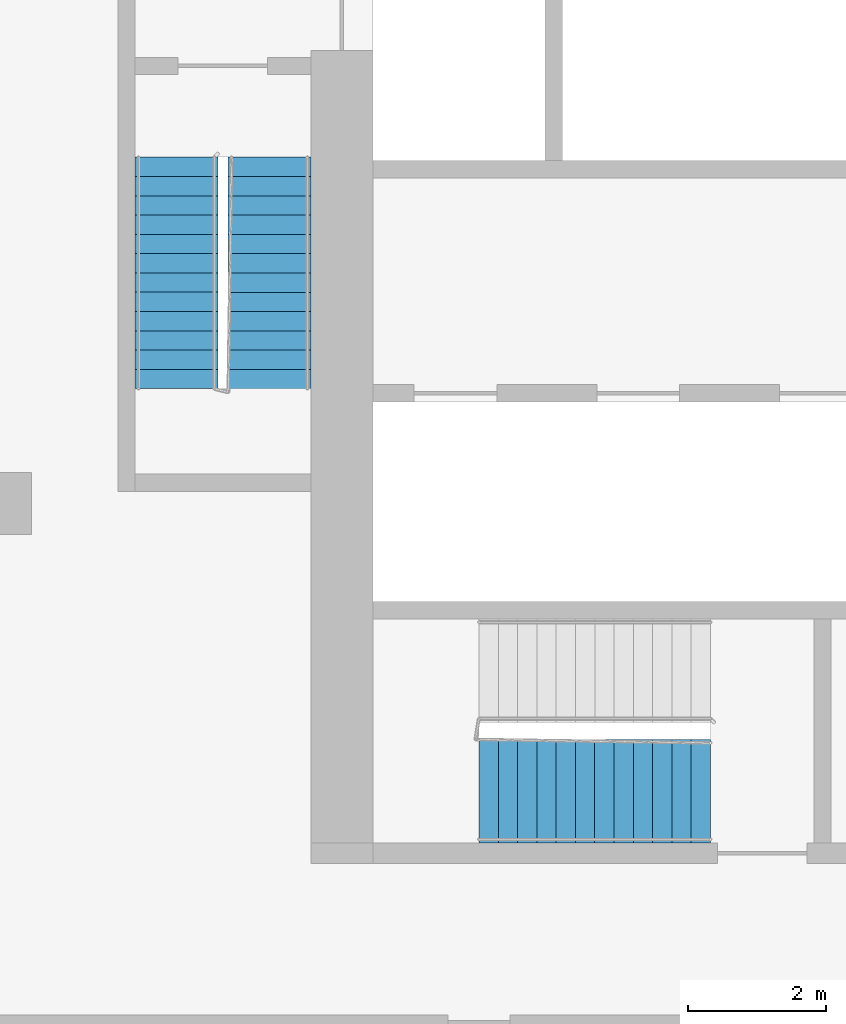
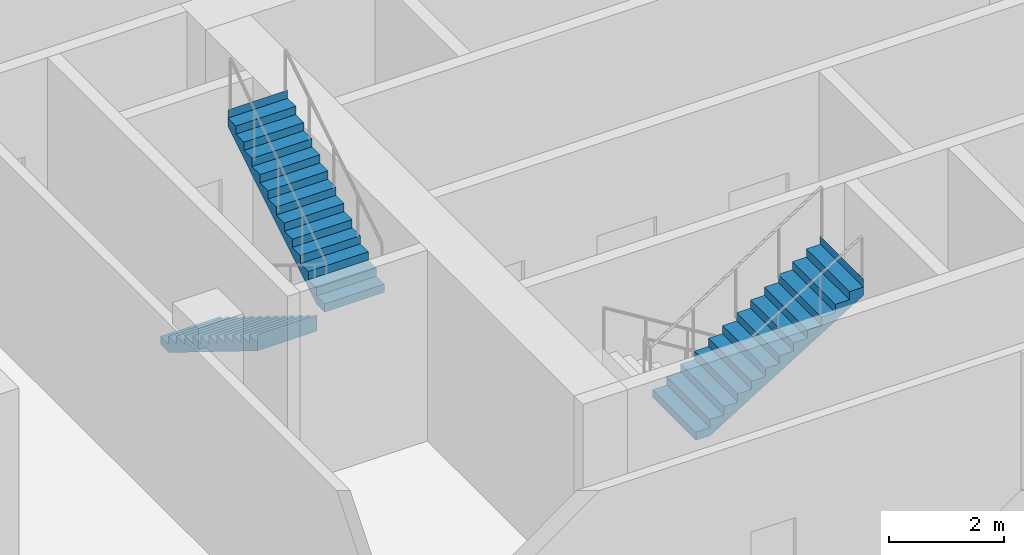
# One storey, part 8 of 15: 3 stair flights, 2 elements without a shape of their own.
"""IFC4 building model written with IfcOpenShell, lengths in metres."""

from ifc_helpers import new_model, si_unit, direction, frame, origin, place, context, subcontext, project, spatial, faceted_brep, material, type_object, element, aggregate, save


model = new_model("IFC4")

# Units and contexts
model_context = context("Model", 3, precision=1e-05, world=origin(), true_north=direction((0.0, 1.0)))
body_context = subcontext(model_context, "Body", "Model", "MODEL_VIEW")
ifc_project = project(units=[si_unit("LENGTHUNIT", "METRE"), si_unit("AREAUNIT", "SQUARE_METRE"), si_unit("VOLUMEUNIT", "CUBIC_METRE"), si_unit("PLANEANGLEUNIT", "RADIAN"), si_unit("MASSUNIT", "GRAM", prefix="KILO")], contexts=[model_context])

# Site, building, storey
site_placement = place(None, origin())
site = spatial("IfcSite", under=ifc_project, at=site_placement, CompositionType="ELEMENT")
building_placement = place(site_placement, origin())
building = spatial("IfcBuilding", under=site, at=building_placement, Name="Kajstack Hotel Tower", CompositionType="ELEMENT")
storey_placement = place(building_placement, frame((0.0, 0.0, 29.0)))
storey = spatial("IfcBuildingStorey", under=building, at=storey_placement, Name="L04", CompositionType="ELEMENT", Elevation=29.0)

# Stair, stair flights
ifc_material = material(Name="Concrete C40/50", Category="concrete")
stair_type_1 = type_object("IfcStairType", Name="Exit stair 1200", PredefinedType="HALF_TURN_STAIR", material=ifc_material)
stair_1_placement = place(storey_placement, origin())
stair_1 = element("IfcStair", 1, at=stair_1_placement, inside=storey, type_object=stair_type_1, Name="L04 stair W1", PredefinedType="HALF_TURN_STAIR")
stair_flight_type_1 = type_object("IfcStairFlightType", Name="Exit stair flight 1200", PredefinedType="STRAIGHT", material=ifc_material)
stair_flight_1_placement = place(storey_placement, frame((-33.449951171875, -5.25, 0.0), z_axis=(0.0, 0.0, 1.0), x_axis=(0.0, -1.0, 0.0)))
stair_flight_1 = element("IfcStairFlight", 2, at=stair_flight_1_placement, type_object=stair_flight_type_1, Name="W1 flight 1", NumberOfRisers=13, NumberOfTreads=12, PredefinedType="STRAIGHT", RiserHeight=0.173076923, TreadLength=0.28, context=body_context, shape_type="Brep", body=[
    faceted_brep([(0.28564453125, -0.60009765625, 0.0), (3.360595703125, -0.60009765625, 1.900634765625), (3.360595703125, -0.60009765625, 2.25), (3.360107421875, -0.60009765625, 2.25), (3.360107421875, -0.60009765625, 2.076904296875), (3.080078125, -0.60009765625, 2.076904296875), (3.080078125, -0.60009765625, 1.90380859375), (2.800048828125, -0.60009765625, 1.90380859375), (2.800048828125, -0.60009765625, 1.730712890625), (2.52001953125, -0.60009765625, 1.730712890625), (2.52001953125, -0.60009765625, 1.5576171875), (2.239990234375, -0.60009765625, 1.5576171875), (2.239990234375, -0.60009765625, 1.384521484375), (1.9599609375, -0.60009765625, 1.384521484375), (1.9599609375, -0.60009765625, 1.21142578125), (1.679931640625, -0.60009765625, 1.21142578125), (1.679931640625, -0.60009765625, 1.03857421875), (1.39990234375, -0.60009765625, 1.03857421875), (1.39990234375, -0.60009765625, 0.865478515625), (1.1201171875, -0.60009765625, 0.865478515625), (1.1201171875, -0.60009765625, 0.6923828125), (0.840087890625, -0.60009765625, 0.6923828125), (0.840087890625, -0.60009765625, 0.519287109375), (0.56005859375, -0.60009765625, 0.519287109375), (0.56005859375, -0.60009765625, 0.34619140625), (0.280029296875, -0.60009765625, 0.34619140625), (0.280029296875, -0.60009765625, 0.173095703125), (-0.00048828125, -0.60009765625, 0.173095703125), (-0.00048828125, -0.60009765625, 0.0), (-0.00048828125, 0.60009765625, 0.0), (-0.00048828125, 0.60009765625, 0.173095703125), (0.280029296875, 0.60009765625, 0.173095703125), (0.280029296875, 0.60009765625, 0.34619140625), (0.56005859375, 0.60009765625, 0.34619140625), (0.56005859375, 0.60009765625, 0.519287109375), (0.840087890625, 0.60009765625, 0.519287109375), (0.840087890625, 0.60009765625, 0.6923828125), (1.1201171875, 0.60009765625, 0.6923828125), (1.1201171875, 0.60009765625, 0.865478515625), (1.39990234375, 0.60009765625, 0.865478515625), (1.39990234375, 0.60009765625, 1.03857421875), (1.679931640625, 0.60009765625, 1.03857421875), (1.679931640625, 0.60009765625, 1.21142578125), (1.9599609375, 0.60009765625, 1.21142578125), (1.9599609375, 0.60009765625, 1.384521484375), (2.239990234375, 0.60009765625, 1.384521484375), (2.239990234375, 0.60009765625, 1.5576171875), (2.52001953125, 0.60009765625, 1.5576171875), (2.52001953125, 0.60009765625, 1.730712890625), (2.800048828125, 0.60009765625, 1.730712890625), (2.800048828125, 0.60009765625, 1.90380859375), (3.080078125, 0.60009765625, 1.90380859375), (3.080078125, 0.60009765625, 2.076904296875), (3.360107421875, 0.60009765625, 2.076904296875), (3.360107421875, 0.60009765625, 2.25), (3.360595703125, 0.60009765625, 2.25), (3.360595703125, 0.60009765625, 1.900634765625), (0.28564453125, 0.60009765625, 0.0), (-0.00048828125, -0.300048828125, 0.173095703125), (-0.00048828125, 0.0, 0.173095703125), (-0.00048828125, 0.300048828125, 0.173095703125), (-0.00048828125, 0.300048828125, 0.0), (-0.00048828125, 0.0, 0.0), (-0.00048828125, -0.300048828125, 0.0), (0.280029296875, -0.300048828125, 0.173095703125), (0.280029296875, 0.0, 0.173095703125), (0.280029296875, 0.300048828125, 0.173095703125), (0.280029296875, -0.300048828125, 0.34619140625), (0.280029296875, 0.0, 0.34619140625), (0.280029296875, 0.300048828125, 0.34619140625), (0.56005859375, -0.300048828125, 0.34619140625), (0.56005859375, 0.0, 0.34619140625), (0.56005859375, 0.300048828125, 0.34619140625), (0.56005859375, -0.300048828125, 0.519287109375), (0.56005859375, 0.0, 0.519287109375), (0.56005859375, 0.300048828125, 0.519287109375), (0.840087890625, -0.300048828125, 0.519287109375), (0.840087890625, 0.0, 0.519287109375), (0.840087890625, 0.300048828125, 0.519287109375), (0.840087890625, -0.300048828125, 0.6923828125), (0.840087890625, 0.0, 0.6923828125), (0.840087890625, 0.300048828125, 0.6923828125), (1.1201171875, -0.300048828125, 0.6923828125), (1.1201171875, 0.0, 0.6923828125), (1.1201171875, 0.300048828125, 0.6923828125), (1.1201171875, -0.300048828125, 0.865478515625), (1.1201171875, 0.0, 0.865478515625), (1.1201171875, 0.300048828125, 0.865478515625), (1.39990234375, -0.300048828125, 0.865478515625), (1.39990234375, 0.0, 0.865478515625), (1.39990234375, 0.300048828125, 0.865478515625), (1.39990234375, -0.300048828125, 1.03857421875), (1.39990234375, 0.0, 1.03857421875), (1.39990234375, 0.300048828125, 1.03857421875), (1.679931640625, -0.300048828125, 1.03857421875), (1.679931640625, 0.0, 1.03857421875), (1.679931640625, 0.300048828125, 1.03857421875), (1.679931640625, -0.300048828125, 1.21142578125), (1.679931640625, 0.0, 1.21142578125), (1.679931640625, 0.300048828125, 1.21142578125), (1.9599609375, -0.300048828125, 1.21142578125), (1.9599609375, 0.0, 1.21142578125), (1.9599609375, 0.300048828125, 1.21142578125), (1.9599609375, -0.300048828125, 1.384521484375), (1.9599609375, 0.0, 1.384521484375), (1.9599609375, 0.300048828125, 1.384521484375), (2.239990234375, -0.300048828125, 1.384521484375), (2.239990234375, 0.0, 1.384521484375), (2.239990234375, 0.300048828125, 1.384521484375), (2.239990234375, -0.300048828125, 1.5576171875), (2.239990234375, 0.0, 1.5576171875), (2.239990234375, 0.300048828125, 1.5576171875), (2.52001953125, -0.300048828125, 1.5576171875), (2.52001953125, 0.0, 1.5576171875), (2.52001953125, 0.300048828125, 1.5576171875), (2.52001953125, -0.300048828125, 1.730712890625), (2.52001953125, 0.0, 1.730712890625), (2.52001953125, 0.300048828125, 1.730712890625), (2.800048828125, -0.300048828125, 1.730712890625), (2.800048828125, 0.0, 1.730712890625), (2.800048828125, 0.300048828125, 1.730712890625), (2.800048828125, -0.300048828125, 1.90380859375), (2.800048828125, 0.0, 1.90380859375), (2.800048828125, 0.300048828125, 1.90380859375), (3.080078125, -0.300048828125, 1.90380859375), (3.080078125, 0.0, 1.90380859375), (3.080078125, 0.300048828125, 1.90380859375), (3.080078125, -0.300048828125, 2.076904296875), (3.080078125, 0.0, 2.076904296875), (3.080078125, 0.300048828125, 2.076904296875), (3.360107421875, -0.300048828125, 2.076904296875), (3.360107421875, 0.0, 2.076904296875), (3.360107421875, 0.300048828125, 2.076904296875), (3.360107421875, -0.300048828125, 2.25), (3.360107421875, 0.0, 2.25), (3.360107421875, 0.300048828125, 2.25), (3.360595703125, -0.300048828125, 2.25), (3.360595703125, 0.0, 2.25), (3.360595703125, 0.300048828125, 2.25), (3.360595703125, -0.300048828125, 1.900634765625), (3.360595703125, 0.0, 1.900634765625), (3.360595703125, 0.300048828125, 1.900634765625), (0.28564453125, -0.300048828125, 0.0), (0.28564453125, 0.0, 0.0), (0.28564453125, 0.300048828125, 0.0)], [[[0, 1, 2, 3, 4, 5, 6, 7, 8, 9, 10, 11, 12, 13, 14, 15, 16, 17, 18, 19, 20, 21, 22, 23, 24, 25, 26, 27, 28]], [[29, 30, 31, 32, 33, 34, 35, 36, 37, 38, 39, 40, 41, 42, 43, 44, 45, 46, 47, 48, 49, 50, 51, 52, 53, 54, 55, 56, 57]], [[27, 58, 59, 60, 30, 29, 61, 62, 63, 28]], [[26, 64, 65, 66, 31, 30, 60, 59, 58, 27]], [[25, 67, 68, 69, 32, 31, 66, 65, 64, 26]], [[24, 70, 71, 72, 33, 32, 69, 68, 67, 25]], [[23, 73, 74, 75, 34, 33, 72, 71, 70, 24]], [[22, 76, 77, 78, 35, 34, 75, 74, 73, 23]], [[21, 79, 80, 81, 36, 35, 78, 77, 76, 22]], [[20, 82, 83, 84, 37, 36, 81, 80, 79, 21]], [[19, 85, 86, 87, 38, 37, 84, 83, 82, 20]], [[18, 88, 89, 90, 39, 38, 87, 86, 85, 19]], [[17, 91, 92, 93, 40, 39, 90, 89, 88, 18]], [[16, 94, 95, 96, 41, 40, 93, 92, 91, 17]], [[15, 97, 98, 99, 42, 41, 96, 95, 94, 16]], [[14, 100, 101, 102, 43, 42, 99, 98, 97, 15]], [[13, 103, 104, 105, 44, 43, 102, 101, 100, 14]], [[12, 106, 107, 108, 45, 44, 105, 104, 103, 13]], [[11, 109, 110, 111, 46, 45, 108, 107, 106, 12]], [[10, 112, 113, 114, 47, 46, 111, 110, 109, 11]], [[9, 115, 116, 117, 48, 47, 114, 113, 112, 10]], [[8, 118, 119, 120, 49, 48, 117, 116, 115, 9]], [[7, 121, 122, 123, 50, 49, 120, 119, 118, 8]], [[6, 124, 125, 126, 51, 50, 123, 122, 121, 7]], [[5, 127, 128, 129, 52, 51, 126, 125, 124, 6]], [[4, 130, 131, 132, 53, 52, 129, 128, 127, 5]], [[3, 133, 134, 135, 54, 53, 132, 131, 130, 4]], [[2, 136, 137, 138, 55, 54, 135, 134, 133, 3]], [[1, 139, 140, 141, 56, 55, 138, 137, 136, 2]], [[0, 142, 143, 144, 57, 56, 141, 140, 139, 1]], [[28, 63, 62, 61, 29, 57, 144, 143, 142, 0]]]),
])
stair_flight_2_placement = place(storey_placement, frame((-32.10009765625, -8.610107421875, 2.25), z_axis=(0.0, 0.0, 1.0), x_axis=(0.0, 1.0, 0.0)))
stair_flight_2 = element("IfcStairFlight", 3, at=stair_flight_2_placement, type_object=stair_flight_type_1, Name="W1 flight 2", NumberOfRisers=13, NumberOfTreads=12, PredefinedType="STRAIGHT", RiserHeight=0.173076923, TreadLength=0.28, context=body_context, shape_type="Brep", body=[
    faceted_brep([(0.28564453125, -0.60009765625, 0.0), (3.360595703125, -0.60009765625, 1.900634765625), (3.360595703125, -0.60009765625, 2.25), (3.360107421875, -0.60009765625, 2.25), (3.360107421875, -0.60009765625, 2.076904296875), (3.080078125, -0.60009765625, 2.076904296875), (3.080078125, -0.60009765625, 1.90380859375), (2.800048828125, -0.60009765625, 1.90380859375), (2.800048828125, -0.60009765625, 1.730712890625), (2.52001953125, -0.60009765625, 1.730712890625), (2.52001953125, -0.60009765625, 1.5576171875), (2.239990234375, -0.60009765625, 1.5576171875), (2.239990234375, -0.60009765625, 1.384521484375), (1.9599609375, -0.60009765625, 1.384521484375), (1.9599609375, -0.60009765625, 1.21142578125), (1.679931640625, -0.60009765625, 1.21142578125), (1.679931640625, -0.60009765625, 1.03857421875), (1.39990234375, -0.60009765625, 1.03857421875), (1.39990234375, -0.60009765625, 0.865478515625), (1.1201171875, -0.60009765625, 0.865478515625), (1.1201171875, -0.60009765625, 0.6923828125), (0.840087890625, -0.60009765625, 0.6923828125), (0.840087890625, -0.60009765625, 0.519287109375), (0.56005859375, -0.60009765625, 0.519287109375), (0.56005859375, -0.60009765625, 0.34619140625), (0.280029296875, -0.60009765625, 0.34619140625), (0.280029296875, -0.60009765625, 0.173095703125), (-0.00048828125, -0.60009765625, 0.173095703125), (-0.00048828125, -0.60009765625, 0.0), (-0.00048828125, 0.60009765625, 0.0), (-0.00048828125, 0.60009765625, 0.173095703125), (0.280029296875, 0.60009765625, 0.173095703125), (0.280029296875, 0.60009765625, 0.34619140625), (0.56005859375, 0.60009765625, 0.34619140625), (0.56005859375, 0.60009765625, 0.519287109375), (0.840087890625, 0.60009765625, 0.519287109375), (0.840087890625, 0.60009765625, 0.6923828125), (1.1201171875, 0.60009765625, 0.6923828125), (1.1201171875, 0.60009765625, 0.865478515625), (1.39990234375, 0.60009765625, 0.865478515625), (1.39990234375, 0.60009765625, 1.03857421875), (1.679931640625, 0.60009765625, 1.03857421875), (1.679931640625, 0.60009765625, 1.21142578125), (1.9599609375, 0.60009765625, 1.21142578125), (1.9599609375, 0.60009765625, 1.384521484375), (2.239990234375, 0.60009765625, 1.384521484375), (2.239990234375, 0.60009765625, 1.5576171875), (2.52001953125, 0.60009765625, 1.5576171875), (2.52001953125, 0.60009765625, 1.730712890625), (2.800048828125, 0.60009765625, 1.730712890625), (2.800048828125, 0.60009765625, 1.90380859375), (3.080078125, 0.60009765625, 1.90380859375), (3.080078125, 0.60009765625, 2.076904296875), (3.360107421875, 0.60009765625, 2.076904296875), (3.360107421875, 0.60009765625, 2.25), (3.360595703125, 0.60009765625, 2.25), (3.360595703125, 0.60009765625, 1.900634765625), (0.28564453125, 0.60009765625, 0.0), (-0.00048828125, -0.300048828125, 0.173095703125), (-0.00048828125, 0.0, 0.173095703125), (-0.00048828125, 0.300048828125, 0.173095703125), (-0.00048828125, 0.300048828125, 0.0), (-0.00048828125, 0.0, 0.0), (-0.00048828125, -0.300048828125, 0.0), (0.280029296875, -0.300048828125, 0.173095703125), (0.280029296875, 0.0, 0.173095703125), (0.280029296875, 0.300048828125, 0.173095703125), (0.280029296875, -0.300048828125, 0.34619140625), (0.280029296875, 0.0, 0.34619140625), (0.280029296875, 0.300048828125, 0.34619140625), (0.56005859375, -0.300048828125, 0.34619140625), (0.56005859375, 0.0, 0.34619140625), (0.56005859375, 0.300048828125, 0.34619140625), (0.56005859375, -0.300048828125, 0.519287109375), (0.56005859375, 0.0, 0.519287109375), (0.56005859375, 0.300048828125, 0.519287109375), (0.840087890625, -0.300048828125, 0.519287109375), (0.840087890625, 0.0, 0.519287109375), (0.840087890625, 0.300048828125, 0.519287109375), (0.840087890625, -0.300048828125, 0.6923828125), (0.840087890625, 0.0, 0.6923828125), (0.840087890625, 0.300048828125, 0.6923828125), (1.1201171875, -0.300048828125, 0.6923828125), (1.1201171875, 0.0, 0.6923828125), (1.1201171875, 0.300048828125, 0.6923828125), (1.1201171875, -0.300048828125, 0.865478515625), (1.1201171875, 0.0, 0.865478515625), (1.1201171875, 0.300048828125, 0.865478515625), (1.39990234375, -0.300048828125, 0.865478515625), (1.39990234375, 0.0, 0.865478515625), (1.39990234375, 0.300048828125, 0.865478515625), (1.39990234375, -0.300048828125, 1.03857421875), (1.39990234375, 0.0, 1.03857421875), (1.39990234375, 0.300048828125, 1.03857421875), (1.679931640625, -0.300048828125, 1.03857421875), (1.679931640625, 0.0, 1.03857421875), (1.679931640625, 0.300048828125, 1.03857421875), (1.679931640625, -0.300048828125, 1.21142578125), (1.679931640625, 0.0, 1.21142578125), (1.679931640625, 0.300048828125, 1.21142578125), (1.9599609375, -0.300048828125, 1.21142578125), (1.9599609375, 0.0, 1.21142578125), (1.9599609375, 0.300048828125, 1.21142578125), (1.9599609375, -0.300048828125, 1.384521484375), (1.9599609375, 0.0, 1.384521484375), (1.9599609375, 0.300048828125, 1.384521484375), (2.239990234375, -0.300048828125, 1.384521484375), (2.239990234375, 0.0, 1.384521484375), (2.239990234375, 0.300048828125, 1.384521484375), (2.239990234375, -0.300048828125, 1.5576171875), (2.239990234375, 0.0, 1.5576171875), (2.239990234375, 0.300048828125, 1.5576171875), (2.52001953125, -0.300048828125, 1.5576171875), (2.52001953125, 0.0, 1.5576171875), (2.52001953125, 0.300048828125, 1.5576171875), (2.52001953125, -0.300048828125, 1.730712890625), (2.52001953125, 0.0, 1.730712890625), (2.52001953125, 0.300048828125, 1.730712890625), (2.800048828125, -0.300048828125, 1.730712890625), (2.800048828125, 0.0, 1.730712890625), (2.800048828125, 0.300048828125, 1.730712890625), (2.800048828125, -0.300048828125, 1.90380859375), (2.800048828125, 0.0, 1.90380859375), (2.800048828125, 0.300048828125, 1.90380859375), (3.080078125, -0.300048828125, 1.90380859375), (3.080078125, 0.0, 1.90380859375), (3.080078125, 0.300048828125, 1.90380859375), (3.080078125, -0.300048828125, 2.076904296875), (3.080078125, 0.0, 2.076904296875), (3.080078125, 0.300048828125, 2.076904296875), (3.360107421875, -0.300048828125, 2.076904296875), (3.360107421875, 0.0, 2.076904296875), (3.360107421875, 0.300048828125, 2.076904296875), (3.360107421875, -0.300048828125, 2.25), (3.360107421875, 0.0, 2.25), (3.360107421875, 0.300048828125, 2.25), (3.360595703125, -0.300048828125, 2.25), (3.360595703125, 0.0, 2.25), (3.360595703125, 0.300048828125, 2.25), (3.360595703125, -0.300048828125, 1.900634765625), (3.360595703125, 0.0, 1.900634765625), (3.360595703125, 0.300048828125, 1.900634765625), (0.28564453125, -0.300048828125, 0.0), (0.28564453125, 0.0, 0.0), (0.28564453125, 0.300048828125, 0.0)], [[[0, 1, 2, 3, 4, 5, 6, 7, 8, 9, 10, 11, 12, 13, 14, 15, 16, 17, 18, 19, 20, 21, 22, 23, 24, 25, 26, 27, 28]], [[29, 30, 31, 32, 33, 34, 35, 36, 37, 38, 39, 40, 41, 42, 43, 44, 45, 46, 47, 48, 49, 50, 51, 52, 53, 54, 55, 56, 57]], [[27, 58, 59, 60, 30, 29, 61, 62, 63, 28]], [[26, 64, 65, 66, 31, 30, 60, 59, 58, 27]], [[25, 67, 68, 69, 32, 31, 66, 65, 64, 26]], [[24, 70, 71, 72, 33, 32, 69, 68, 67, 25]], [[23, 73, 74, 75, 34, 33, 72, 71, 70, 24]], [[22, 76, 77, 78, 35, 34, 75, 74, 73, 23]], [[21, 79, 80, 81, 36, 35, 78, 77, 76, 22]], [[20, 82, 83, 84, 37, 36, 81, 80, 79, 21]], [[19, 85, 86, 87, 38, 37, 84, 83, 82, 20]], [[18, 88, 89, 90, 39, 38, 87, 86, 85, 19]], [[17, 91, 92, 93, 40, 39, 90, 89, 88, 18]], [[16, 94, 95, 96, 41, 40, 93, 92, 91, 17]], [[15, 97, 98, 99, 42, 41, 96, 95, 94, 16]], [[14, 100, 101, 102, 43, 42, 99, 98, 97, 15]], [[13, 103, 104, 105, 44, 43, 102, 101, 100, 14]], [[12, 106, 107, 108, 45, 44, 105, 104, 103, 13]], [[11, 109, 110, 111, 46, 45, 108, 107, 106, 12]], [[10, 112, 113, 114, 47, 46, 111, 110, 109, 11]], [[9, 115, 116, 117, 48, 47, 114, 113, 112, 10]], [[8, 118, 119, 120, 49, 48, 117, 116, 115, 9]], [[7, 121, 122, 123, 50, 49, 120, 119, 118, 8]], [[6, 124, 125, 126, 51, 50, 123, 122, 121, 7]], [[5, 127, 128, 129, 52, 51, 126, 125, 124, 6]], [[4, 130, 131, 132, 53, 52, 129, 128, 127, 5]], [[3, 133, 134, 135, 54, 53, 132, 131, 130, 4]], [[2, 136, 137, 138, 55, 54, 135, 134, 133, 3]], [[1, 139, 140, 141, 56, 55, 138, 137, 136, 2]], [[0, 142, 143, 144, 57, 56, 141, 140, 139, 1]], [[28, 63, 62, 61, 29, 57, 144, 143, 142, 0]]]),
])
aggregate(stair_1, [stair_flight_1, stair_flight_2])

# Stair, stair flight
stair_type_2 = type_object("IfcStairType", Name="Exit stair 1500", PredefinedType="HALF_TURN_STAIR", material=ifc_material)
stair_2_placement = place(storey_placement, origin())
stair_2 = element("IfcStair", 4, at=stair_2_placement, inside=storey, type_object=stair_type_2, Name="L04 stair W3", PredefinedType="HALF_TURN_STAIR")
stair_flight_type_2 = type_object("IfcStairFlightType", Name="Exit stair flight 1500", PredefinedType="STRAIGHT", material=ifc_material)
stair_flight_3_placement = place(storey_placement, frame((-29.06005859375, -14.449951171875, 2.25), z_axis=(0.0, 0.0, 1.0), x_axis=(1.0, 0.0, 0.0)))
stair_flight_3 = element("IfcStairFlight", 5, at=stair_flight_3_placement, type_object=stair_flight_type_2, Name="W3 flight 2", NumberOfRisers=13, NumberOfTreads=12, PredefinedType="STRAIGHT", RiserHeight=0.173076923, TreadLength=0.28, context=body_context, shape_type="Brep", body=[
    faceted_brep([(0.28564453125, -0.75, 0.0), (3.360595703125, -0.75, 1.900634765625), (3.360595703125, -0.75, 2.25), (3.360107421875, -0.75, 2.25), (3.360107421875, -0.75, 2.076904296875), (3.080078125, -0.75, 2.076904296875), (3.080078125, -0.75, 1.90380859375), (2.800048828125, -0.75, 1.90380859375), (2.800048828125, -0.75, 1.730712890625), (2.52001953125, -0.75, 1.730712890625), (2.52001953125, -0.75, 1.5576171875), (2.239990234375, -0.75, 1.5576171875), (2.239990234375, -0.75, 1.384521484375), (1.9599609375, -0.75, 1.384521484375), (1.9599609375, -0.75, 1.21142578125), (1.679931640625, -0.75, 1.21142578125), (1.679931640625, -0.75, 1.03857421875), (1.39990234375, -0.75, 1.03857421875), (1.39990234375, -0.75, 0.865478515625), (1.1201171875, -0.75, 0.865478515625), (1.1201171875, -0.75, 0.6923828125), (0.840087890625, -0.75, 0.6923828125), (0.840087890625, -0.75, 0.519287109375), (0.56005859375, -0.75, 0.519287109375), (0.56005859375, -0.75, 0.34619140625), (0.280029296875, -0.75, 0.34619140625), (0.280029296875, -0.75, 0.173095703125), (-0.00048828125, -0.75, 0.173095703125), (-0.00048828125, -0.75, 0.0), (-0.00048828125, 0.75, 0.0), (-0.00048828125, 0.75, 0.173095703125), (0.280029296875, 0.75, 0.173095703125), (0.280029296875, 0.75, 0.34619140625), (0.56005859375, 0.75, 0.34619140625), (0.56005859375, 0.75, 0.519287109375), (0.840087890625, 0.75, 0.519287109375), (0.840087890625, 0.75, 0.6923828125), (1.1201171875, 0.75, 0.6923828125), (1.1201171875, 0.75, 0.865478515625), (1.39990234375, 0.75, 0.865478515625), (1.39990234375, 0.75, 1.03857421875), (1.679931640625, 0.75, 1.03857421875), (1.679931640625, 0.75, 1.21142578125), (1.9599609375, 0.75, 1.21142578125), (1.9599609375, 0.75, 1.384521484375), (2.239990234375, 0.75, 1.384521484375), (2.239990234375, 0.75, 1.5576171875), (2.52001953125, 0.75, 1.5576171875), (2.52001953125, 0.75, 1.730712890625), (2.800048828125, 0.75, 1.730712890625), (2.800048828125, 0.75, 1.90380859375), (3.080078125, 0.75, 1.90380859375), (3.080078125, 0.75, 2.076904296875), (3.360107421875, 0.75, 2.076904296875), (3.360107421875, 0.75, 2.25), (3.360595703125, 0.75, 2.25), (3.360595703125, 0.75, 1.900634765625), (0.28564453125, 0.75, 0.0), (-0.00048828125, -0.375, 0.173095703125), (-0.00048828125, 0.0, 0.173095703125), (-0.00048828125, 0.375, 0.173095703125), (-0.00048828125, 0.375, 0.0), (-0.00048828125, 0.0, 0.0), (-0.00048828125, -0.375, 0.0), (0.280029296875, -0.375, 0.173095703125), (0.280029296875, 0.0, 0.173095703125), (0.280029296875, 0.375, 0.173095703125), (0.280029296875, -0.375, 0.34619140625), (0.280029296875, 0.0, 0.34619140625), (0.280029296875, 0.375, 0.34619140625), (0.56005859375, -0.375, 0.34619140625), (0.56005859375, 0.0, 0.34619140625), (0.56005859375, 0.375, 0.34619140625), (0.56005859375, -0.375, 0.519287109375), (0.56005859375, 0.0, 0.519287109375), (0.56005859375, 0.375, 0.519287109375), (0.840087890625, -0.375, 0.519287109375), (0.840087890625, 0.0, 0.519287109375), (0.840087890625, 0.375, 0.519287109375), (0.840087890625, -0.375, 0.6923828125), (0.840087890625, 0.0, 0.6923828125), (0.840087890625, 0.375, 0.6923828125), (1.1201171875, -0.375, 0.6923828125), (1.1201171875, 0.0, 0.6923828125), (1.1201171875, 0.375, 0.6923828125), (1.1201171875, -0.375, 0.865478515625), (1.1201171875, 0.0, 0.865478515625), (1.1201171875, 0.375, 0.865478515625), (1.39990234375, -0.375, 0.865478515625), (1.39990234375, 0.0, 0.865478515625), (1.39990234375, 0.375, 0.865478515625), (1.39990234375, -0.375, 1.03857421875), (1.39990234375, 0.0, 1.03857421875), (1.39990234375, 0.375, 1.03857421875), (1.679931640625, -0.375, 1.03857421875), (1.679931640625, 0.0, 1.03857421875), (1.679931640625, 0.375, 1.03857421875), (1.679931640625, -0.375, 1.21142578125), (1.679931640625, 0.0, 1.21142578125), (1.679931640625, 0.375, 1.21142578125), (1.9599609375, -0.375, 1.21142578125), (1.9599609375, 0.0, 1.21142578125), (1.9599609375, 0.375, 1.21142578125), (1.9599609375, -0.375, 1.384521484375), (1.9599609375, 0.0, 1.384521484375), (1.9599609375, 0.375, 1.384521484375), (2.239990234375, -0.375, 1.384521484375), (2.239990234375, 0.0, 1.384521484375), (2.239990234375, 0.375, 1.384521484375), (2.239990234375, -0.375, 1.5576171875), (2.239990234375, 0.0, 1.5576171875), (2.239990234375, 0.375, 1.5576171875), (2.52001953125, -0.375, 1.5576171875), (2.52001953125, 0.0, 1.5576171875), (2.52001953125, 0.375, 1.5576171875), (2.52001953125, -0.375, 1.730712890625), (2.52001953125, 0.0, 1.730712890625), (2.52001953125, 0.375, 1.730712890625), (2.800048828125, -0.375, 1.730712890625), (2.800048828125, 0.0, 1.730712890625), (2.800048828125, 0.375, 1.730712890625), (2.800048828125, -0.375, 1.90380859375), (2.800048828125, 0.0, 1.90380859375), (2.800048828125, 0.375, 1.90380859375), (3.080078125, -0.375, 1.90380859375), (3.080078125, 0.0, 1.90380859375), (3.080078125, 0.375, 1.90380859375), (3.080078125, -0.375, 2.076904296875), (3.080078125, 0.0, 2.076904296875), (3.080078125, 0.375, 2.076904296875), (3.360107421875, -0.375, 2.076904296875), (3.360107421875, 0.0, 2.076904296875), (3.360107421875, 0.375, 2.076904296875), (3.360107421875, -0.375, 2.25), (3.360107421875, 0.0, 2.25), (3.360107421875, 0.375, 2.25), (3.360595703125, -0.375, 2.25), (3.360595703125, 0.0, 2.25), (3.360595703125, 0.375, 2.25), (3.360595703125, -0.375, 1.900634765625), (3.360595703125, 0.0, 1.900634765625), (3.360595703125, 0.375, 1.900634765625), (0.28564453125, -0.375, 0.0), (0.28564453125, 0.0, 0.0), (0.28564453125, 0.375, 0.0)], [[[0, 1, 2, 3, 4, 5, 6, 7, 8, 9, 10, 11, 12, 13, 14, 15, 16, 17, 18, 19, 20, 21, 22, 23, 24, 25, 26, 27, 28]], [[29, 30, 31, 32, 33, 34, 35, 36, 37, 38, 39, 40, 41, 42, 43, 44, 45, 46, 47, 48, 49, 50, 51, 52, 53, 54, 55, 56, 57]], [[27, 58, 59, 60, 30, 29, 61, 62, 63, 28]], [[26, 64, 65, 66, 31, 30, 60, 59, 58, 27]], [[25, 67, 68, 69, 32, 31, 66, 65, 64, 26]], [[24, 70, 71, 72, 33, 32, 69, 68, 67, 25]], [[23, 73, 74, 75, 34, 33, 72, 71, 70, 24]], [[22, 76, 77, 78, 35, 34, 75, 74, 73, 23]], [[21, 79, 80, 81, 36, 35, 78, 77, 76, 22]], [[20, 82, 83, 84, 37, 36, 81, 80, 79, 21]], [[19, 85, 86, 87, 38, 37, 84, 83, 82, 20]], [[18, 88, 89, 90, 39, 38, 87, 86, 85, 19]], [[17, 91, 92, 93, 40, 39, 90, 89, 88, 18]], [[16, 94, 95, 96, 41, 40, 93, 92, 91, 17]], [[15, 97, 98, 99, 42, 41, 96, 95, 94, 16]], [[14, 100, 101, 102, 43, 42, 99, 98, 97, 15]], [[13, 103, 104, 105, 44, 43, 102, 101, 100, 14]], [[12, 106, 107, 108, 45, 44, 105, 104, 103, 13]], [[11, 109, 110, 111, 46, 45, 108, 107, 106, 12]], [[10, 112, 113, 114, 47, 46, 111, 110, 109, 11]], [[9, 115, 116, 117, 48, 47, 114, 113, 112, 10]], [[8, 118, 119, 120, 49, 48, 117, 116, 115, 9]], [[7, 121, 122, 123, 50, 49, 120, 119, 118, 8]], [[6, 124, 125, 126, 51, 50, 123, 122, 121, 7]], [[5, 127, 128, 129, 52, 51, 126, 125, 124, 6]], [[4, 130, 131, 132, 53, 52, 129, 128, 127, 5]], [[3, 133, 134, 135, 54, 53, 132, 131, 130, 4]], [[2, 136, 137, 138, 55, 54, 135, 134, 133, 3]], [[1, 139, 140, 141, 56, 55, 138, 137, 136, 2]], [[0, 142, 143, 144, 57, 56, 141, 140, 139, 1]], [[28, 63, 62, 61, 29, 57, 144, 143, 142, 0]]]),
])
aggregate(stair_2, [stair_flight_3])

save(model, "model.ifc")
